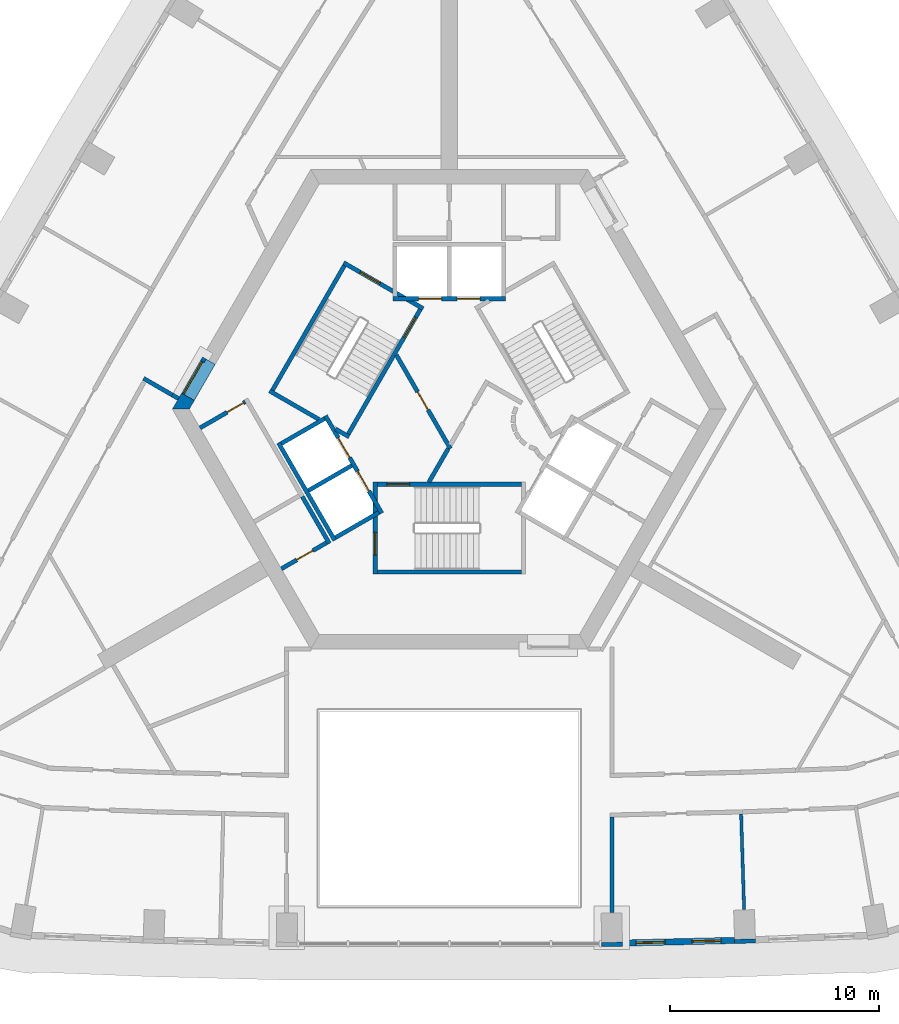
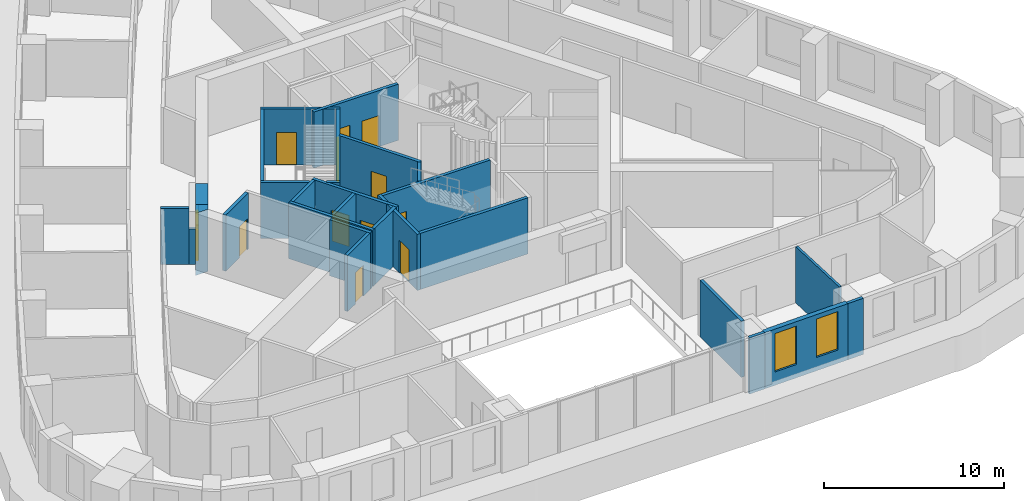
# One storey, part 5 of 13: 29 walls, 12 doors, 2 windows, 14 openings.
"""IFC4 building model written with IfcOpenShell, lengths in metres."""

from ifc_helpers import new_model, si_unit, direction, frame, frame_2d, origin, place, context, subcontext, project, spatial, polyline, rectangle, outline, extrude, material, layer, layer_set, type_object, element, fill, save


model = new_model("IFC4")

# Units and contexts
model_context = context("Model", 3, precision=1e-05, world=origin(), true_north=direction((0.0, 1.0)))
body_context = subcontext(model_context, "Body", "Model", "MODEL_VIEW")
ifc_project = project(units=[si_unit("LENGTHUNIT", "METRE"), si_unit("AREAUNIT", "SQUARE_METRE"), si_unit("VOLUMEUNIT", "CUBIC_METRE"), si_unit("PLANEANGLEUNIT", "RADIAN"), si_unit("MASSUNIT", "GRAM", prefix="KILO")], contexts=[model_context])

# Site, building, storey
site_placement = place(None, origin())
site = spatial("IfcSite", under=ifc_project, at=site_placement, CompositionType="ELEMENT")
building_placement = place(site_placement, origin())
building = spatial("IfcBuilding", under=site, at=building_placement, Name="Entoto Arch Interchange Tower", CompositionType="ELEMENT")
storey_placement = place(building_placement, frame((0.0, 0.0, 219.199951171875)))
storey = spatial("IfcBuildingStorey", under=building, at=storey_placement, Name="L49", CompositionType="ELEMENT", Elevation=219.199951171875)

# Wall, opening, door
ifc_material_1 = material(Name="Reinforced concrete C40/50", Category="concrete")
ifc_layer_1 = layer(ifc_material_1, 0.199951171875)
ifc_layer_set_1 = layer_set([ifc_layer_1], Name="Reinforced concrete C40/50")
wall_type_1 = type_object("IfcWallType", Name="CORE GAP INFILL WALL", PredefinedType="PARTITIONING", material=ifc_layer_set_1)
wall_1_placement = place(storey_placement, frame((-11.7470703125, 4.951904296875, 0.0), z_axis=(0.0, 0.0, 1.0), x_axis=(-0.50002537861, -0.866010750942, 0.0)))
wall_1 = element("IfcWall", 1, at=wall_1_placement, inside=storey, type_object=wall_type_1, Name="wall:L49:gap3", PredefinedType="PARTITIONING", context=body_context, shape_type="SweptSolid", body=[
    extrude(rectangle(XDim=2.0, YDim=0.199951171875, at=frame_2d((1.0, 0.0))), origin(), (0.0, 0.0, 1.0), 2.400146484375),
])
opening_1_placement = place(wall_1_placement, frame((0.18994140625, 0.0, 0.0)))
opening_1 = element("IfcOpeningElement", 2, at=opening_1_placement, cuts=wall_1, Name="Opening L49-D93", PredefinedType="OPENING", context=body_context, shape_type="SweptSolid", body=[
    extrude(rectangle(XDim=1.800048828125, YDim=2.10009765625, at=frame_2d((0.89990234375, 1.050048828125))), frame((0.0, 0.10986328125, 0.0), z_axis=(0.0, -1.0, 0.0), x_axis=(1.0, 0.0, 0.0)), (0.0, 0.0, 1.0), 0.219970703125),
])
ifc_material_2 = material(Name="Fire-rated Steel S235 door and frame", Category="steel")
door_type_1 = type_object("IfcDoorType", Name="DOOR FD-18 1800x2100", OperationType="DOUBLE_DOOR_SINGLE_SWING", PredefinedType="DOOR", material=ifc_material_2)
door_1_placement = place(opening_1_placement, origin())
door_1 = element("IfcDoor", 3, at=door_1_placement, inside=storey, type_object=door_type_1, Name="door:L49:gap3", OperationType="DOUBLE_DOOR_SINGLE_SWING", OverallHeight=2.10009765625, OverallWidth=1.800048828125, PredefinedType="DOOR", context=body_context, shape_type="SweptSolid", body=[
    extrude(rectangle(XDim=1.800048828125, YDim=2.10009765625, at=frame_2d((0.89990234375, 1.050048828125))), frame((0.0, 0.02490234375, 0.0), z_axis=(0.0, -1.0, 0.0), x_axis=(1.0, 0.0, 0.0)), (0.0, 0.0, 1.0), 0.050048828125),
])
fill(opening_1, door_1)

# Walls
ifc_material_3 = material(Name="Concrete C50/60", Category="concrete")
ifc_layer_2 = layer(ifc_material_3, 0.699951171875)
ifc_layer_set_2 = layer_set([ifc_layer_2], Name="Concrete C50/60")
wall_type_2 = type_object("IfcWallType", Name="Core wall 700 C50/60", PredefinedType="SHEAR", material=ifc_layer_set_2)
wall_2_placement = place(storey_placement, frame((0.0, 0.0, -0.39990234375)))
element("IfcWall", 4, at=wall_2_placement, inside=storey, type_object=wall_type_2, Name="Core wall NW L49", PredefinedType="SHEAR", context=body_context, shape_type="SweptSolid", body=[
    extrude(outline(polyline([(-12.22802734375, 2.919921875), (-12.833984375, 3.27001953125), (-13.279052734375, 2.5), (-12.470947265625, 2.5), (-12.22802734375, 2.919921875)])), origin(), (0.0, 0.0, 1.0), 4.199951171875),
])
wall_3_placement = place(storey_placement, frame((0.0, 0.0, 3.60009765625)))
element("IfcWall", 5, at=wall_3_placement, inside=storey, type_object=wall_type_2, Name="Core wall lintel NW L49", PredefinedType="SHEAR", context=body_context, shape_type="SweptSolid", body=[
    extrude(outline(polyline([(-12.833984375, 3.27001953125), (-12.22802734375, 2.919921875), (-11.22802734375, 4.652099609375), (-11.833984375, 5.001953125), (-12.833984375, 3.27001953125)])), origin(), (0.0, 0.0, 1.0), 0.199951171875),
])

# Wall, openings, doors
ifc_material_4 = material(Name="Concrete C40/50", Category="concrete")
ifc_layer_3 = layer(ifc_material_4, 0.199951171875)
ifc_layer_set_3 = layer_set([ifc_layer_3], Name="Concrete C40/50")
wall_type_3 = type_object("IfcWallType", Name="LIFT SHAFT WALL 200", PredefinedType="STANDARD", material=ifc_layer_set_3)
wall_4_placement = place(storey_placement, frame((2.699951171875, 7.800048828125, 0.0), z_axis=(0.0, 0.0, 1.0), x_axis=(-1.0, 0.0, 0.0)))
wall_4 = element("IfcWall", 6, at=wall_4_placement, inside=storey, type_object=wall_type_3, Name="Shaft wall N1 front", PredefinedType="STANDARD", context=body_context, shape_type="SweptSolid", body=[
    extrude(rectangle(XDim=5.39990234375, YDim=0.199951171875, at=frame_2d((2.699951171875, 0.0))), origin(), (0.0, 0.0, 1.0), 3.800048828125),
])
opening_2_placement = place(wall_4_placement, frame((1.22509765625, 0.0, 0.0)))
opening_2 = element("IfcOpeningElement", 7, at=opening_2_placement, cuts=wall_4, Name="Opening LD-HR1-L49", PredefinedType="OPENING", context=body_context, shape_type="SweptSolid", body=[
    extrude(rectangle(XDim=1.10009765625, YDim=2.10009765625, at=frame_2d((0.550048828125, 1.050048828125))), frame((0.0, 0.10986328125, 0.0), z_axis=(0.0, -1.0, 0.0), x_axis=(1.0, 0.0, 0.0)), (0.0, 0.0, 1.0), 0.219970703125),
])
opening_3_placement = place(wall_4_placement, frame((3.074951171875, 0.0, 0.0)))
opening_3 = element("IfcOpeningElement", 8, at=opening_3_placement, cuts=wall_4, Name="Opening LD-HR2-L49", PredefinedType="OPENING", context=body_context, shape_type="SweptSolid", body=[
    extrude(rectangle(XDim=1.10009765625, YDim=2.10009765625, at=frame_2d((0.550048828125, 1.050048828125))), frame((0.0, 0.10986328125, 0.0), z_axis=(0.0, -1.0, 0.0), x_axis=(1.0, 0.0, 0.0)), (0.0, 0.0, 1.0), 0.219970703125),
])
ifc_material_5 = material(Name="Stainless steel 1.4301 panels", Category="steel")
door_type_2 = type_object("IfcDoorType", Name="LIFT LANDING DOOR LD1 1100x2100", OperationType="SLIDING_TO_LEFT", PredefinedType="DOOR", material=ifc_material_5)
door_2_placement = place(opening_2_placement, origin())
door_2 = element("IfcDoor", 9, at=door_2_placement, inside=storey, type_object=door_type_2, Name="Lift landing door HR1 L49", OperationType="SLIDING_TO_LEFT", OverallHeight=2.10009765625, OverallWidth=1.10009765625, PredefinedType="DOOR", context=body_context, shape_type="SweptSolid", body=[
    extrude(rectangle(XDim=1.10009765625, YDim=2.10009765625, at=frame_2d((0.550048828125, 1.050048828125))), frame((0.0, 0.02490234375, 0.0), z_axis=(0.0, -1.0, 0.0), x_axis=(1.0, 0.0, 0.0)), (0.0, 0.0, 1.0), 0.050048828125),
])
fill(opening_2, door_2)
door_3_placement = place(opening_3_placement, origin())
door_3 = element("IfcDoor", 10, at=door_3_placement, inside=storey, type_object=door_type_2, Name="Lift landing door HR2 L49", OperationType="SLIDING_TO_LEFT", OverallHeight=2.10009765625, OverallWidth=1.10009765625, PredefinedType="DOOR", context=body_context, shape_type="SweptSolid", body=[
    extrude(rectangle(XDim=1.10009765625, YDim=2.10009765625, at=frame_2d((0.550048828125, 1.050048828125))), frame((0.0, 0.02490234375, 0.0), z_axis=(0.0, -1.0, 0.0), x_axis=(1.0, 0.0, 0.0)), (0.0, 0.0, 1.0), 0.050048828125),
])
fill(opening_3, door_3)

wall_5_placement = place(storey_placement, frame((-5.93994140625, 2.18798828125, 0.0), z_axis=(0.0, 0.0, 1.0), x_axis=(0.500034260056, -0.866005622828, 0.0)))
wall_5 = element("IfcWall", 11, at=wall_5_placement, inside=storey, type_object=wall_type_3, Name="Shaft wall SW1 front", PredefinedType="STANDARD", context=body_context, shape_type="SweptSolid", body=[
    extrude(rectangle(XDim=5.3994140625, YDim=0.199951171875, at=frame_2d((2.69970703125, 0.0))), origin(), (0.0, 0.0, 1.0), 3.800048828125),
])
opening_4_placement = place(wall_5_placement, frame((3.074951171875, 0.0, 0.0)))
opening_4 = element("IfcOpeningElement", 12, at=opening_4_placement, cuts=wall_5, Name="Opening LD-HR4-L49", PredefinedType="OPENING", context=body_context, shape_type="SweptSolid", body=[
    extrude(rectangle(XDim=1.10009765625, YDim=2.10009765625, at=frame_2d((0.550048828125, 1.050048828125))), frame((0.0, 0.10986328125, 0.0), z_axis=(0.0, -1.0, 0.0), x_axis=(1.0, 0.0, 0.0)), (0.0, 0.0, 1.0), 0.219970703125),
])
opening_5_placement = place(wall_5_placement, frame((1.22509765625, 0.0, 0.0)))
opening_5 = element("IfcOpeningElement", 13, at=opening_5_placement, cuts=wall_5, Name="Opening LD-FF2-L49", PredefinedType="OPENING", context=body_context, shape_type="SweptSolid", body=[
    extrude(rectangle(XDim=1.10009765625, YDim=2.10009765625, at=frame_2d((0.550048828125, 1.050048828125))), frame((0.0, 0.10986328125, 0.0), z_axis=(0.0, -1.0, 0.0), x_axis=(1.0, 0.0, 0.0)), (0.0, 0.0, 1.0), 0.219970703125),
])
door_4_placement = place(opening_4_placement, origin())
door_4 = element("IfcDoor", 14, at=door_4_placement, inside=storey, type_object=door_type_2, Name="Lift landing door HR4 L49", OperationType="SLIDING_TO_LEFT", OverallHeight=2.10009765625, OverallWidth=1.10009765625, PredefinedType="DOOR", context=body_context, shape_type="SweptSolid", body=[
    extrude(rectangle(XDim=1.10009765625, YDim=2.10009765625, at=frame_2d((0.550048828125, 1.050048828125))), frame((0.0, 0.02490234375, 0.0), z_axis=(0.0, -1.0, 0.0), x_axis=(1.0, 0.0, 0.0)), (0.0, 0.0, 1.0), 0.050048828125),
])
fill(opening_4, door_4)
door_5_placement = place(opening_5_placement, origin())
door_5 = element("IfcDoor", 15, at=door_5_placement, inside=storey, type_object=door_type_2, Name="Lift landing door FF2 L49", OperationType="SLIDING_TO_LEFT", OverallHeight=2.10009765625, OverallWidth=1.10009765625, PredefinedType="DOOR", context=body_context, shape_type="SweptSolid", body=[
    extrude(rectangle(XDim=1.10009765625, YDim=2.10009765625, at=frame_2d((0.550048828125, 1.050048828125))), frame((0.0, 0.02490234375, 0.0), z_axis=(0.0, -1.0, 0.0), x_axis=(1.0, 0.0, 0.0)), (0.0, 0.0, 1.0), 0.050048828125),
])
fill(opening_5, door_5)

# Walls
wall_6_placement = place(storey_placement, frame((-8.19189453125, 0.887939453125, 0.0), z_axis=(0.0, 0.0, 1.0), x_axis=(0.500034260056, -0.866005622828, 0.0)))
element("IfcWall", 16, at=wall_6_placement, inside=storey, type_object=wall_type_3, Name="Shaft wall SW1 back", PredefinedType="STANDARD", context=body_context, shape_type="SweptSolid", body=[
    extrude(rectangle(XDim=5.3994140625, YDim=0.199951171875, at=frame_2d((2.69970703125, 0.0))), origin(), (0.0, 0.0, 1.0), 3.800048828125),
])
for number, where, z_axis, x_axis, name in (
    (17, (-5.97705078125, 2.052001953125, 0.0), (0.0, 0.0, 1.0), (-0.865973769406, -0.500089422704, 0.0), "Shaft wall SW1 cross 1"),
    (18, (-4.677001953125, -0.199951171875, 0.0), (0.0, 0.0, 1.0), (-0.865973769406, -0.500089422704, 0.0), "Shaft wall SW1 cross 2"),
):
    element("IfcWall", number, at=place(storey_placement, frame(where, z_axis=z_axis, x_axis=x_axis)), inside=storey, type_object=wall_type_3, Name=name, PredefinedType="STANDARD", context=body_context, shape_type="SweptSolid", body=[
        extrude(rectangle(XDim=2.3994140625, YDim=0.199951171875, at=frame_2d((1.19970703125, 0.0))), origin(), (0.0, 0.0, 1.0), 3.800048828125),
    ])
wall_7_placement = place(storey_placement, frame((-3.376953125, -2.451904296875, 0.0), z_axis=(0.0, 0.0, 1.0), x_axis=(-0.865955154139, -0.50012165622, 0.0)))
element("IfcWall", 19, at=wall_7_placement, inside=storey, type_object=wall_type_3, Name="Shaft wall SW1 cross 3", PredefinedType="STANDARD", context=body_context, shape_type="SweptSolid", body=[
    extrude(rectangle(XDim=2.39990234375, YDim=0.199951171875, at=frame_2d((1.199951171875, 0.0))), origin(), (0.0, 0.0, 1.0), 3.800048828125),
])
ifc_material_6 = material(Name="Gypsum board partition on steel studs", Category="steel")
ifc_layer_4 = layer(ifc_material_6, 0.14990234375)
ifc_layer_set_4 = layer_set([ifc_layer_4], Name="Gypsum board partition on steel studs")
wall_type_4 = type_object("IfcWallType", Name="PARTITION 150", PredefinedType="PARTITIONING", material=ifc_layer_set_4)
wall_8_placement = place(storey_placement, frame((13.990966796875, -16.909912109375, 0.0), z_axis=(0.0, 0.0, 1.0), x_axis=(0.031234752378, -0.999512076087, 0.0)))
element("IfcWall", 20, at=wall_8_placement, inside=storey, type_object=wall_type_4, Name="wall:L49:p117", PredefinedType="PARTITIONING", context=body_context, shape_type="SweptSolid", body=[
    extrude(rectangle(XDim=4.580322265625, YDim=0.14990234375, at=frame_2d((2.2900390625, 0.0))), origin(), (0.0, 0.0, 1.0), 3.800048828125),
])
ifc_layer_5 = layer(ifc_material_6, 0.199951171875)
ifc_layer_set_5 = layer_set([ifc_layer_5], Name="Gypsum board partition on steel studs")
wall_type_5 = type_object("IfcWallType", Name="PARTITION 200", PredefinedType="PARTITIONING", material=ifc_layer_set_5)
wall_9_placement = place(storey_placement, frame((-12.98388671875, 3.010009765625, 0.0), z_axis=(0.0, 0.0, 1.0), x_axis=(-0.866046247233, 0.49996389635, 0.0)))
element("IfcWall", 21, at=wall_9_placement, inside=storey, type_object=wall_type_5, Name="wall:L49:p024", PredefinedType="PARTITIONING", context=body_context, shape_type="SweptSolid", body=[
    extrude(rectangle(XDim=0.35009765625, YDim=0.199951171875, at=frame_2d((0.175048828125, 0.0))), origin(), (0.0, 0.0, 1.0), 2.400146484375),
])

# Wall, opening, door
wall_10_placement = place(storey_placement, frame((-11.952880859375, 1.60302734375, 0.0), z_axis=(0.0, 0.0, 1.0), x_axis=(0.865998541277, 0.500046524342, 0.0)))
wall_10 = element("IfcWall", 22, at=wall_10_placement, inside=storey, type_object=wall_type_5, Name="wall:L49:p079", PredefinedType="PARTITIONING", context=body_context, shape_type="SweptSolid", body=[
    extrude(rectangle(XDim=2.499755859375, YDim=0.199951171875, at=frame_2d((1.25, 0.0))), origin(), (0.0, 0.0, 1.0), 3.800048828125),
])
opening_6_placement = place(wall_10_placement, frame((1.5, 0.0, 0.0)))
opening_6 = element("IfcOpeningElement", 23, at=opening_6_placement, cuts=wall_10, Name="Opening L49-D34", PredefinedType="OPENING", context=body_context, shape_type="SweptSolid", body=[
    extrude(rectangle(XDim=0.89990234375, YDim=2.10009765625, at=frame_2d((0.449951171875, 1.050048828125))), frame((0.0, 0.10986328125, 0.0), z_axis=(0.0, -1.0, 0.0), x_axis=(1.0, 0.0, 0.0)), (0.0, 0.0, 1.0), 0.219970703125),
])
ifc_material_7 = material(Name="Timber door leaf in Steel S235 frame", Category="steel")
door_type_3 = type_object("IfcDoorType", Name="DOOR DS-09 900x2100", OperationType="SINGLE_SWING_LEFT", PredefinedType="DOOR", material=ifc_material_7)
door_6_placement = place(opening_6_placement, origin())
door_6 = element("IfcDoor", 24, at=door_6_placement, inside=storey, type_object=door_type_3, Name="door:L49:34", OperationType="SINGLE_SWING_LEFT", OverallHeight=2.10009765625, OverallWidth=0.89990234375, PredefinedType="DOOR", context=body_context, shape_type="SweptSolid", body=[
    extrude(rectangle(XDim=0.89990234375, YDim=2.10009765625, at=frame_2d((0.449951171875, 1.050048828125))), frame((0.0, 0.02490234375, 0.0), z_axis=(0.0, -1.0, 0.0), x_axis=(1.0, 0.0, 0.0)), (0.0, 0.0, 1.0), 0.050048828125),
])
fill(opening_6, door_6)

# Wall
wall_11_placement = place(storey_placement, frame((-7.051025390625, -1.68701171875, 0.0), z_axis=(0.0, 0.0, 1.0), x_axis=(0.500128937424, -0.865950948929, 0.0)))
element("IfcWall", 25, at=wall_11_placement, inside=storey, type_object=wall_type_5, Name="wall:L49:p081", PredefinedType="PARTITIONING", context=body_context, shape_type="SweptSolid", body=[
    extrude(rectangle(XDim=2.599365234375, YDim=0.199951171875, at=frame_2d((1.2998046875, 0.0))), origin(), (0.0, 0.0, 1.0), 3.800048828125),
])

# Wall, opening, door
wall_12_placement = place(storey_placement, frame((-5.887939453125, -3.902099609375, 0.0), z_axis=(0.0, 0.0, 1.0), x_axis=(-0.866022959057, -0.500004234368, 0.0)))
wall_12 = element("IfcWall", 26, at=wall_12_placement, inside=storey, type_object=wall_type_5, Name="wall:L49:p082", PredefinedType="PARTITIONING", context=body_context, shape_type="SweptSolid", body=[
    extrude(rectangle(XDim=2.5, YDim=0.199951171875, at=frame_2d((1.25, 0.0))), origin(), (0.0, 0.0, 1.0), 3.800048828125),
])
opening_7_placement = place(wall_12_placement, frame((0.75, 0.0, 0.0)))
opening_7 = element("IfcOpeningElement", 27, at=opening_7_placement, cuts=wall_12, Name="Opening L49-D35", PredefinedType="OPENING", context=body_context, shape_type="SweptSolid", body=[
    extrude(rectangle(XDim=0.89990234375, YDim=2.10009765625, at=frame_2d((0.449951171875, 1.050048828125))), frame((0.0, 0.10986328125, 0.0), z_axis=(0.0, -1.0, 0.0), x_axis=(1.0, 0.0, 0.0)), (0.0, 0.0, 1.0), 0.219970703125),
])
door_7_placement = place(opening_7_placement, origin())
door_7 = element("IfcDoor", 28, at=door_7_placement, inside=storey, type_object=door_type_3, Name="door:L49:35", OperationType="SINGLE_SWING_RIGHT", OverallHeight=2.10009765625, OverallWidth=0.89990234375, PredefinedType="DOOR", context=body_context, shape_type="SweptSolid", body=[
    extrude(rectangle(XDim=0.89990234375, YDim=2.10009765625, at=frame_2d((0.449951171875, 1.050048828125))), frame((0.0, 0.02490234375, 0.0), z_axis=(0.0, -1.0, 0.0), x_axis=(1.0, 0.0, 0.0)), (0.0, 0.0, 1.0), 0.050048828125),
])
fill(opening_7, door_7)

# Wall
wall_13_placement = place(storey_placement, frame((-0.98193359375, -1.0, 0.0), z_axis=(0.0, 0.0, 1.0), x_axis=(0.50024047865, 0.865886518847, 0.0)))
element("IfcWall", 29, at=wall_13_placement, inside=storey, type_object=wall_type_5, Name="wall:L49:p089", PredefinedType="PARTITIONING", context=body_context, shape_type="SweptSolid", body=[
    extrude(rectangle(XDim=1.86279296875, YDim=0.199951171875, at=frame_2d((0.931396484375, 0.0))), origin(), (0.0, 0.0, 1.0), 3.800048828125),
])

# Wall, opening, door
wall_14_placement = place(storey_placement, frame((-2.5400390625, 5.10009765625, 0.0), z_axis=(0.0, 0.0, 1.0), x_axis=(0.499925051871, -0.866068670783, 0.0)))
wall_14 = element("IfcWall", 30, at=wall_14_placement, inside=storey, type_object=wall_type_5, Name="wall:L49:p100", PredefinedType="PARTITIONING", context=body_context, shape_type="SweptSolid", body=[
    extrude(rectangle(XDim=5.180908203125, YDim=0.199951171875, at=frame_2d((2.59033203125, 0.0))), origin(), (0.0, 0.0, 1.0), 3.800048828125),
])
opening_8_placement = place(wall_14_placement, frame((2.0400390625, 0.0, 0.0)))
opening_8 = element("IfcOpeningElement", 31, at=opening_8_placement, cuts=wall_14, Name="Opening L49-D29", PredefinedType="OPENING", context=body_context, shape_type="SweptSolid", body=[
    extrude(rectangle(XDim=1.0, YDim=2.10009765625, at=frame_2d((0.5, 1.050048828125))), frame((0.0, 0.10986328125, 0.0), z_axis=(0.0, -1.0, 0.0), x_axis=(1.0, 0.0, 0.0)), (0.0, 0.0, 1.0), 0.219970703125),
])
door_type_4 = type_object("IfcDoorType", Name="DOOR FD-10 1000x2100", OperationType="SINGLE_SWING_LEFT", PredefinedType="DOOR", material=ifc_material_2)
door_8_placement = place(opening_8_placement, origin())
door_8 = element("IfcDoor", 32, at=door_8_placement, inside=storey, type_object=door_type_4, Name="door:L49:29", OperationType="SINGLE_SWING_RIGHT", OverallHeight=2.10009765625, OverallWidth=1.0, PredefinedType="DOOR", context=body_context, shape_type="SweptSolid", body=[
    extrude(rectangle(XDim=1.0, YDim=2.10009765625, at=frame_2d((0.5, 1.050048828125))), frame((0.0, 0.02490234375, 0.0), z_axis=(0.0, -1.0, 0.0), x_axis=(1.0, 0.0, 0.0)), (0.0, 0.0, 1.0), 0.050048828125),
])
fill(opening_8, door_8)

# Walls
wall_15_placement = place(storey_placement, frame((7.800048828125, -17.05908203125, 0.0), z_axis=(0.0, 0.0, 1.0), x_axis=(0.0, -1.0, 0.0)))
element("IfcWall", 33, at=wall_15_placement, inside=storey, type_object=wall_type_5, Name="wall:L49:p105", PredefinedType="PARTITIONING", context=body_context, shape_type="SweptSolid", body=[
    extrude(rectangle(XDim=4.58203125, YDim=0.199951171875, at=frame_2d((2.291015625, 0.0))), origin(), (0.0, 0.0, 1.0), 3.800048828125),
])
wall_16_placement = place(storey_placement, frame((-13.287109375, 3.18505859375, 0.0), z_axis=(0.0, 0.0, 1.0), x_axis=(-0.865992812752, 0.500056445075, 0.0)))
element("IfcWall", 34, at=wall_16_placement, inside=storey, type_object=wall_type_5, Name="wall:L49:p024", PredefinedType="PARTITIONING", context=body_context, shape_type="SweptSolid", body=[
    extrude(rectangle(XDim=1.581787109375, YDim=0.199951171875, at=frame_2d((0.791015625, 0.0))), origin(), (0.0, 0.0, 1.0), 3.800048828125),
])

# Wall, opening, door
ifc_layer_6 = layer(ifc_material_4, 0.199951171875)
ifc_layer_set_6 = layer_set([ifc_layer_6], Name="Concrete C40/50")
wall_type_6 = type_object("IfcWallType", Name="STAIR ENCLOSURE WALL 200", PredefinedType="STANDARD", material=ifc_layer_set_6)
wall_17_placement = place(storey_placement, frame((-3.550048828125, -1.0, 0.0), z_axis=(0.0, 0.0, 1.0), x_axis=(0.0, -1.0, 0.0)))
wall_17 = element("IfcWall", 35, at=wall_17_placement, inside=storey, type_object=wall_type_6, Name="Stair wall ST-S near", PredefinedType="STANDARD", context=body_context, shape_type="SweptSolid", body=[
    extrude(rectangle(XDim=4.39990234375, YDim=0.199951171875, at=frame_2d((2.199951171875, 0.0))), origin(), (0.0, 0.0, 1.0), 3.800048828125),
])
opening_9_placement = place(wall_17_placement, frame((2.39990234375, 0.0, 0.0)))
opening_9 = element("IfcOpeningElement", 36, at=opening_9_placement, cuts=wall_17, Name="Opening SD-ST-S-L49-E", PredefinedType="OPENING", context=body_context, shape_type="SweptSolid", body=[
    extrude(rectangle(XDim=1.10009765625, YDim=2.199951171875, at=frame_2d((0.550048828125, 1.10009765625))), frame((0.0, 0.10986328125, 0.0), z_axis=(0.0, -1.0, 0.0), x_axis=(1.0, 0.0, 0.0)), (0.0, 0.0, 1.0), 0.219970703125),
])
ifc_material_8 = material(Name="Steel S235", Category="steel")
door_type_5 = type_object("IfcDoorType", Name="STAIR DOOR SD1 1100x2200", OperationType="SINGLE_SWING_LEFT", PredefinedType="DOOR", material=ifc_material_8)
door_9_placement = place(opening_9_placement, origin())
door_9 = element("IfcDoor", 37, at=door_9_placement, inside=storey, type_object=door_type_5, Name="Stair door ST-S L49 end", OperationType="SINGLE_SWING_LEFT", OverallHeight=2.199951171875, OverallWidth=1.10009765625, PredefinedType="DOOR", context=body_context, shape_type="SweptSolid", body=[
    extrude(rectangle(XDim=1.10009765625, YDim=2.199951171875, at=frame_2d((0.550048828125, 1.10009765625))), frame((0.0, 0.02490234375, 0.0), z_axis=(0.0, -1.0, 0.0), x_axis=(1.0, 0.0, 0.0)), (0.0, 0.0, 1.0), 0.050048828125),
])
fill(opening_9, door_9)

wall_18_placement = place(storey_placement, frame((-3.449951171875, -1.10009765625, 0.0), z_axis=(0.0, 0.0, 1.0), x_axis=(1.0, 0.0, 0.0)))
wall_18 = element("IfcWall", 38, at=wall_18_placement, inside=storey, type_object=wall_type_6, Name="Stair wall ST-S hall", PredefinedType="STANDARD", context=body_context, shape_type="SweptSolid", body=[
    extrude(rectangle(XDim=6.89990234375, YDim=0.199951171875, at=frame_2d((3.449951171875, 0.0))), origin(), (0.0, 0.0, 1.0), 3.800048828125),
])
opening_10_placement = place(wall_18_placement, frame((0.449951171875, 0.0, 0.0)))
opening_10 = element("IfcOpeningElement", 39, at=opening_10_placement, cuts=wall_18, Name="Opening SD-ST-S-L49", PredefinedType="OPENING", context=body_context, shape_type="SweptSolid", body=[
    extrude(rectangle(XDim=1.10009765625, YDim=2.199951171875, at=frame_2d((0.550048828125, 1.10009765625))), frame((0.0, 0.10986328125, 0.0), z_axis=(0.0, -1.0, 0.0), x_axis=(1.0, 0.0, 0.0)), (0.0, 0.0, 1.0), 0.219970703125),
])
door_10_placement = place(opening_10_placement, origin())
door_10 = element("IfcDoor", 40, at=door_10_placement, inside=storey, type_object=door_type_5, Name="Stair door ST-S L49", OperationType="SINGLE_SWING_LEFT", OverallHeight=2.199951171875, OverallWidth=1.10009765625, PredefinedType="DOOR", context=body_context, shape_type="SweptSolid", body=[
    extrude(rectangle(XDim=1.10009765625, YDim=2.199951171875, at=frame_2d((0.550048828125, 1.10009765625))), frame((0.0, 0.02490234375, 0.0), z_axis=(0.0, -1.0, 0.0), x_axis=(1.0, 0.0, 0.0)), (0.0, 0.0, 1.0), 0.050048828125),
])
fill(opening_10, door_10)

# Wall
wall_19_placement = place(storey_placement, frame((-3.449951171875, -5.300048828125, 0.0), z_axis=(0.0, 0.0, 1.0), x_axis=(1.0, 0.0, 0.0)))
element("IfcWall", 41, at=wall_19_placement, inside=storey, type_object=wall_type_6, Name="Stair wall ST-S back", PredefinedType="STANDARD", context=body_context, shape_type="SweptSolid", body=[
    extrude(rectangle(XDim=6.89990234375, YDim=0.199951171875, at=frame_2d((3.449951171875, 0.0))), origin(), (0.0, 0.0, 1.0), 3.800048828125),
])

# Wall, opening, door
wall_20_placement = place(storey_placement, frame((-1.256103515625, 7.323974609375, 0.0), z_axis=(0.0, 0.0, 1.0), x_axis=(-0.866046073146, 0.499964197906, 0.0)))
wall_20 = element("IfcWall", 42, at=wall_20_placement, inside=storey, type_object=wall_type_6, Name="Stair wall ST-NW near", PredefinedType="STANDARD", context=body_context, shape_type="SweptSolid", body=[
    extrude(rectangle(XDim=4.400146484375, YDim=0.199951171875, at=frame_2d((2.2001953125, 0.0))), origin(), (0.0, 0.0, 1.0), 3.800048828125),
])
opening_11_placement = place(wall_20_placement, frame((2.39990234375, 0.0, 0.0)))
opening_11 = element("IfcOpeningElement", 43, at=opening_11_placement, cuts=wall_20, Name="Opening SD-ST-NW-L49-E", PredefinedType="OPENING", context=body_context, shape_type="SweptSolid", body=[
    extrude(rectangle(XDim=1.10009765625, YDim=2.199951171875, at=frame_2d((0.550048828125, 1.10009765625))), frame((0.0, 0.10986328125, 0.0), z_axis=(0.0, -1.0, 0.0), x_axis=(1.0, 0.0, 0.0)), (0.0, 0.0, 1.0), 0.219970703125),
])
door_11_placement = place(opening_11_placement, origin())
door_11 = element("IfcDoor", 44, at=door_11_placement, inside=storey, type_object=door_type_5, Name="Stair door ST-NW L49 end", OperationType="SINGLE_SWING_LEFT", OverallHeight=2.199951171875, OverallWidth=1.10009765625, PredefinedType="DOOR", context=body_context, shape_type="SweptSolid", body=[
    extrude(rectangle(XDim=1.10009765625, YDim=2.199951171875, at=frame_2d((0.550048828125, 1.10009765625))), frame((0.0, 0.02490234375, 0.0), z_axis=(0.0, -1.0, 0.0), x_axis=(1.0, 0.0, 0.0)), (0.0, 0.0, 1.0), 0.050048828125),
])
fill(opening_11, door_11)

# Walls
wall_21_placement = place(storey_placement, frame((-6.25, 2.010009765625, 0.0), z_axis=(0.0, 0.0, 1.0), x_axis=(-0.86611865017, 0.499838457731, 0.0)))
element("IfcWall", 45, at=wall_21_placement, inside=storey, type_object=wall_type_6, Name="Stair wall ST-NW far", PredefinedType="STANDARD", context=body_context, shape_type="SweptSolid", body=[
    extrude(rectangle(XDim=2.73291015625, YDim=0.199951171875, at=frame_2d((1.366455078125, 0.0))), origin(), (0.0, 0.0, 1.0), 3.800048828125),
])
wall_22_placement = place(storey_placement, frame((-4.805908203125, 1.176025390625, 0.0), z_axis=(0.0, 0.0, 1.0), x_axis=(-0.866558586415, 0.499075361355, 0.0)))
element("IfcWall", 46, at=wall_22_placement, inside=storey, type_object=wall_type_6, Name="Stair wall ST-NW far return", PredefinedType="STANDARD", context=body_context, shape_type="SweptSolid", body=[
    extrude(rectangle(XDim=0.75146484375, YDim=0.199951171875, at=frame_2d((0.375732421875, 0.0))), origin(), (0.0, 0.0, 1.0), 3.800048828125),
])

# Wall, opening, door
wall_23_placement = place(storey_placement, frame((-1.39306640625, 7.2880859375, 0.0), z_axis=(0.0, 0.0, 1.0), x_axis=(-0.499963383562, -0.866046543262, 0.0)))
wall_23 = element("IfcWall", 47, at=wall_23_placement, inside=storey, type_object=wall_type_6, Name="Stair wall ST-NW hall", PredefinedType="STANDARD", context=body_context, shape_type="SweptSolid", body=[
    extrude(rectangle(XDim=6.900390625, YDim=0.199951171875, at=frame_2d((3.4501953125, 0.0))), origin(), (0.0, 0.0, 1.0), 3.800048828125),
])
opening_12_placement = place(wall_23_placement, frame((0.449951171875, 0.0, 0.0)))
opening_12 = element("IfcOpeningElement", 48, at=opening_12_placement, cuts=wall_23, Name="Opening SD-ST-NW-L49", PredefinedType="OPENING", context=body_context, shape_type="SweptSolid", body=[
    extrude(rectangle(XDim=1.10009765625, YDim=2.199951171875, at=frame_2d((0.550048828125, 1.10009765625))), frame((0.0, 0.10986328125, 0.0), z_axis=(0.0, -1.0, 0.0), x_axis=(1.0, 0.0, 0.0)), (0.0, 0.0, 1.0), 0.219970703125),
])
door_12_placement = place(opening_12_placement, origin())
door_12 = element("IfcDoor", 49, at=door_12_placement, inside=storey, type_object=door_type_5, Name="Stair door ST-NW L49", OperationType="SINGLE_SWING_LEFT", OverallHeight=2.199951171875, OverallWidth=1.10009765625, PredefinedType="DOOR", context=body_context, shape_type="SweptSolid", body=[
    extrude(rectangle(XDim=1.10009765625, YDim=2.199951171875, at=frame_2d((0.550048828125, 1.10009765625))), frame((0.0, 0.02490234375, 0.0), z_axis=(0.0, -1.0, 0.0), x_axis=(1.0, 0.0, 0.0)), (0.0, 0.0, 1.0), 0.050048828125),
])
fill(opening_12, door_12)

# Wall
wall_24_placement = place(storey_placement, frame((-5.030029296875, 9.387939453125, 0.0), z_axis=(0.0, 0.0, 1.0), x_axis=(-0.499978703459, -0.866037698999, 0.0)))
element("IfcWall", 50, at=wall_24_placement, inside=storey, type_object=wall_type_6, Name="Stair wall ST-NW back", PredefinedType="STANDARD", context=body_context, shape_type="SweptSolid", body=[
    extrude(rectangle(XDim=6.900146484375, YDim=0.199951171875, at=frame_2d((3.4501953125, 0.0))), origin(), (0.0, 0.0, 1.0), 3.800048828125),
])

# Wall, openings, windows
ifc_material_9 = material(Name="Welded tuff (ignimbrite) cladding, warm buff", Category="masonry")
ifc_layer_7 = layer(ifc_material_9, 0.300048828125)
ifc_layer_set_7 = layer_set([ifc_layer_7], Name="Welded tuff (ignimbrite) cladding, warm buff")
wall_type_7 = type_object("IfcWallType", Name="STONE INFILL WALL 300", PredefinedType="STANDARD", material=ifc_layer_set_7)
wall_25_placement = place(storey_placement, frame((8.297119140625, -23.09912109375, 0.0), z_axis=(0.0, 0.0, 1.0), x_axis=(0.999708030006, 0.024163086341, 0.0)))
wall_25 = element("IfcWall", 51, at=wall_25_placement, inside=storey, type_object=wall_type_7, Name="Facade wall S-04 L49", PredefinedType="STANDARD", context=body_context, shape_type="SweptSolid", body=[
    extrude(rectangle(XDim=5.38525390625, YDim=0.300048828125, at=frame_2d((2.692626953125, 0.0))), origin(), (0.0, 0.0, 1.0), 3.800048828125),
])
opening_13_placement = place(wall_25_placement, frame((0.64599609375, 0.0, 0.89990234375)))
opening_13 = element("IfcOpeningElement", 52, at=opening_13_placement, cuts=wall_25, Name="Opening WO-B", PredefinedType="OPENING", context=body_context, shape_type="SweptSolid", body=[
    extrude(rectangle(XDim=1.39990234375, YDim=2.60009765625, at=frame_2d((0.699951171875, 1.300048828125))), frame((0.0, 0.16015625, 0.0), z_axis=(0.0, -1.0, 0.0), x_axis=(1.0, 0.0, 0.0)), (0.0, 0.0, 1.0), 0.320068359375),
])
opening_14_placement = place(wall_25_placement, frame((3.339111328125, 0.0, 0.89990234375)))
opening_14 = element("IfcOpeningElement", 53, at=opening_14_placement, cuts=wall_25, Name="Opening WO-B", PredefinedType="OPENING", context=body_context, shape_type="SweptSolid", body=[
    extrude(rectangle(XDim=1.39990234375, YDim=2.60009765625, at=frame_2d((0.699951171875, 1.300048828125))), frame((0.0, 0.16015625, 0.0), z_axis=(0.0, -1.0, 0.0), x_axis=(1.0, 0.0, 0.0)), (0.0, 0.0, 1.0), 0.320068359375),
])
ifc_material_10 = material(Name="Clear glass, low-e double glazed", Category="glass")
window_type = type_object("IfcWindowType", Name="WINDOW WO-B 1400x2600", PartitioningType="DOUBLE_PANEL_VERTICAL", PredefinedType="WINDOW", material=ifc_material_10)
window_1_placement = place(opening_13_placement, origin())
window_1 = element("IfcWindow", 54, at=window_1_placement, inside=storey, type_object=window_type, Name="Window WO-B S-04 L49", OverallHeight=2.60009765625, OverallWidth=1.39990234375, PartitioningType="SINGLE_PANEL", PredefinedType="WINDOW", context=body_context, shape_type="SweptSolid", body=[
    extrude(rectangle(XDim=1.39990234375, YDim=2.60009765625, at=frame_2d((0.699951171875, 1.300048828125))), frame((0.0, 0.030029296875, 0.0), z_axis=(0.0, -1.0, 0.0), x_axis=(1.0, 0.0, 0.0)), (0.0, 0.0, 1.0), 0.06005859375),
])
fill(opening_13, window_1)
window_2_placement = place(opening_14_placement, origin())
window_2 = element("IfcWindow", 55, at=window_2_placement, inside=storey, type_object=window_type, Name="Window WO-B S-04 L49", OverallHeight=2.60009765625, OverallWidth=1.39990234375, PartitioningType="SINGLE_PANEL", PredefinedType="WINDOW", context=body_context, shape_type="SweptSolid", body=[
    extrude(rectangle(XDim=1.39990234375, YDim=2.60009765625, at=frame_2d((0.699951171875, 1.300048828125))), frame((0.0, 0.030029296875, 0.0), z_axis=(0.0, -1.0, 0.0), x_axis=(1.0, 0.0, 0.0)), (0.0, 0.0, 1.0), 0.06005859375),
])
fill(opening_14, window_2)

# Walls
ifc_layer_8 = layer(ifc_material_9, 0.199951171875)
ifc_layer_set_8 = layer_set([ifc_layer_8], Name="Welded tuff (ignimbrite) cladding, warm buff")
wall_type_8 = type_object("IfcWallType", Name="STONE PIER CLADDING 200", PredefinedType="STANDARD", material=ifc_layer_set_8)
wall_26_placement = place(storey_placement, frame((7.299072265625, -23.16796875, 0.0), z_axis=(0.0, 0.0, 1.0), x_axis=(0.999903186316, 0.013914668364, 0.0)))
element("IfcWall", 56, at=wall_26_placement, inside=storey, type_object=wall_type_8, Name="Stone pier S04 L49", PredefinedType="STANDARD", context=body_context, shape_type="SweptSolid", body=[
    extrude(rectangle(XDim=1.0, YDim=0.199951171875, at=frame_2d((0.5, 0.0))), origin(), (0.0, 0.0, 1.0), 3.800048828125),
])
wall_27_placement = place(storey_placement, frame((13.681884765625, -23.02392578125, 0.0), z_axis=(0.0, 0.0, 1.0), x_axis=(0.999423561854, 0.033949138587, 0.0)))
element("IfcWall", 57, at=wall_27_placement, inside=storey, type_object=wall_type_8, Name="Stone pier S05 L49", PredefinedType="STANDARD", context=body_context, shape_type="SweptSolid", body=[
    extrude(rectangle(XDim=0.99951171875, YDim=0.199951171875, at=frame_2d((0.499755859375, 0.0))), origin(), (0.0, 0.0, 1.0), 3.800048828125),
])

save(model, "model.ifc")
